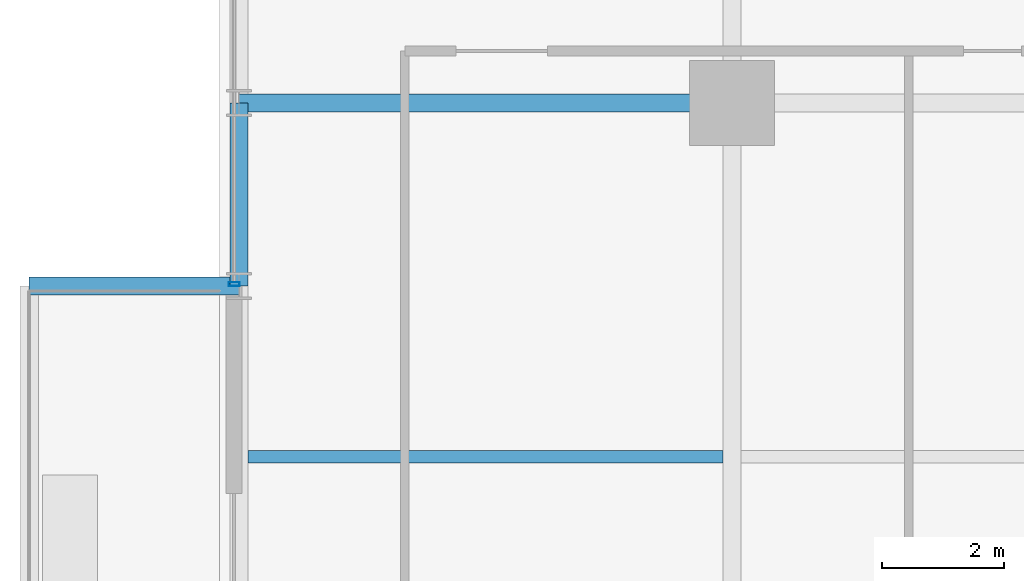
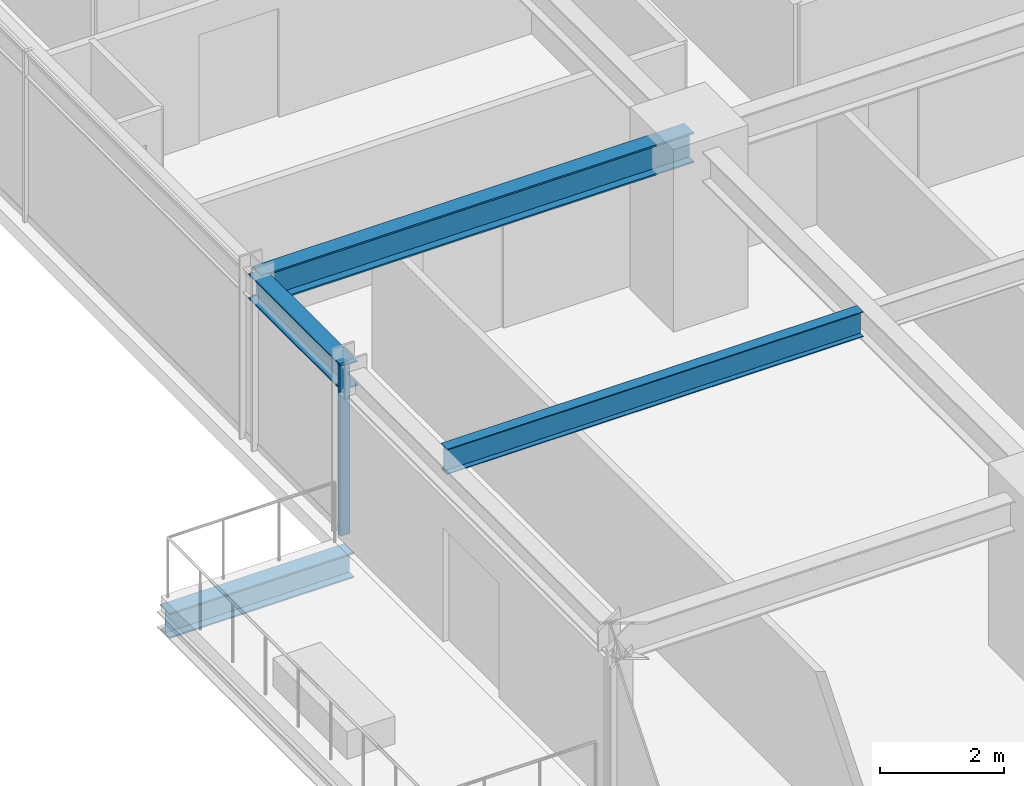
# One storey, part 8 of 37: 4 beams, 1 member, 1 element without a shape of its own.
"""IFC4 building model written with IfcOpenShell, lengths in metres."""

from ifc_helpers import new_model, si_unit, direction, frame, origin, origin_2d, place, context, subcontext, project, spatial, hollow_rectangle, i_section, extrude, source, transform, mapped, material, material_profile, profile_set, type_object, element, aggregate, save


model = new_model("IFC4")

# Units and contexts
model_context = context("Model", 3, precision=1e-05, world=origin(), true_north=direction((0.0, 1.0)))
body_context = subcontext(model_context, "Body", "Model", "MODEL_VIEW")
ifc_project = project(units=[si_unit("LENGTHUNIT", "METRE"), si_unit("AREAUNIT", "SQUARE_METRE"), si_unit("VOLUMEUNIT", "CUBIC_METRE"), si_unit("PLANEANGLEUNIT", "RADIAN"), si_unit("MASSUNIT", "GRAM", prefix="KILO")], contexts=[model_context])

# Site, building, storey
site_placement = place(None, origin())
site = spatial("IfcSite", under=ifc_project, at=site_placement, CompositionType="ELEMENT")
building_placement = place(site_placement, origin())
building = spatial("IfcBuilding", under=site, at=building_placement, Name="Nahalor Promenade Grand Hotel", CompositionType="ELEMENT")
storey_placement = place(building_placement, frame((0.0, 0.0, 36.050048828125)))
storey = spatial("IfcBuildingStorey", under=building, at=storey_placement, Name="L07", CompositionType="ELEMENT", Elevation=36.050048828125)

# Beams
ifc_material_1 = material(Name="Steel S355JR", Category="steel")
ifc_material_profile_1 = material_profile(ifc_material_1, i_section(OverallWidth=0.3, OverallDepth=0.5, WebThickness=0.0145, FlangeThickness=0.028, at=origin_2d()), Name="HEB 500")
ifc_profile_set_1 = profile_set([ifc_material_profile_1], Name="Steel S355JR")
beam_type_1 = type_object("IfcBeamType", Name="Beam-Outrigger-HEB500", PredefinedType="BEAM", material=ifc_profile_set_1)
shared_shape_1 = source(origin(), body_context, "Body", "SweptSolid", [
    extrude(i_section(OverallWidth=0.3, OverallDepth=0.5, WebThickness=0.0145, FlangeThickness=0.028, at=origin_2d()), origin(), (0.0, 0.0, 1.0), 3.43994140625),
])
beam_1_placement = place(storey_placement, frame((-28.52001953125, -8.39990234375, -0.530029296875), z_axis=(1.0, 0.0, 0.0), x_axis=(0.0, 1.0, 0.0)))
element("IfcBeam", 1, at=beam_1_placement, inside=storey, type_object=beam_type_1, Name="BM-L07-BC-02-2", PredefinedType="BEAM", context=body_context, shape_type="MappedRepresentation", body=[
    mapped(shared_shape_1, transform((0.0, 0.0, 0.0), scale=1.0)),
])
ifc_material_profile_2 = material_profile(ifc_material_1, i_section(OverallWidth=0.3, OverallDepth=0.5, WebThickness=0.0145, FlangeThickness=0.028, at=origin_2d()), Name="HEB 500")
ifc_profile_set_2 = profile_set([ifc_material_profile_2], Name="Steel S355JR")
beam_type_2 = type_object("IfcBeamType", Name="Beam-Spandrel-HEB500", PredefinedType="SPANDREL", material=ifc_profile_set_2)
shared_shape_2 = source(origin(), body_context, "Body", "SweptSolid", [
    extrude(i_section(OverallWidth=0.3, OverallDepth=0.5, WebThickness=0.0145, FlangeThickness=0.028, at=origin_2d()), origin(), (0.0, 0.0, 1.0), 3.0),
])
beam_2_placement = place(storey_placement, frame((-25.080078125, -8.39990234375, 3.119873046875), z_axis=(0.0, 1.0, 0.0), x_axis=(-1.0, 0.0, 0.0)))
element("IfcBeam", 2, at=beam_2_placement, inside=storey, type_object=beam_type_2, Name="BM-L07-SP-W-1", PredefinedType="SPANDREL", context=body_context, shape_type="MappedRepresentation", body=[
    mapped(shared_shape_2, transform((0.0, 0.0, 0.0), scale=1.0)),
])
ifc_material_profile_3 = material_profile(ifc_material_1, i_section(OverallWidth=0.3, OverallDepth=0.6, WebThickness=0.0155, FlangeThickness=0.03, at=origin_2d()), Name="HEB 600")
ifc_profile_set_3 = profile_set([ifc_material_profile_3], Name="Steel S355JR")
beam_type_3 = type_object("IfcBeamType", Name="Beam-Girder-HEB600", PredefinedType="BEAM", material=ifc_profile_set_3)
shared_shape_3 = source(origin(), body_context, "Body", "SweptSolid", [
    extrude(i_section(OverallWidth=0.3, OverallDepth=0.6, WebThickness=0.0155, FlangeThickness=0.03, at=origin_2d()), origin(), (0.0, 0.0, 1.0), 8.080078125),
])
beam_3_placement = place(storey_placement, frame((-25.080078125, -5.39990234375, 3.070068359375), z_axis=(1.0, 0.0, 0.0), x_axis=(0.0, 1.0, 0.0)))
element("IfcBeam", 3, at=beam_3_placement, inside=storey, type_object=beam_type_3, Name="BM-L07-GX-1-0", PredefinedType="BEAM", context=body_context, shape_type="MappedRepresentation", body=[
    mapped(shared_shape_3, transform((0.0, 0.0, 0.0), scale=1.0)),
])
ifc_material_profile_4 = material_profile(ifc_material_1, i_section(OverallWidth=0.2, OverallDepth=0.5, WebThickness=0.0102, FlangeThickness=0.016, at=origin_2d()), Name="IPE 500")
ifc_profile_set_4 = profile_set([ifc_material_profile_4], Name="Steel S355JR")
beam_type_4 = type_object("IfcBeamType", Name="Beam-Joist-IPE500", PredefinedType="JOIST", material=ifc_profile_set_4)
shared_shape_4 = source(origin(), body_context, "Body", "SweptSolid", [
    extrude(i_section(OverallWidth=0.2, OverallDepth=0.5, WebThickness=0.0102, FlangeThickness=0.016, at=origin_2d()), origin(), (0.0, 0.0, 1.0), 7.780029296875),
])
beam_4_placement = place(storey_placement, frame((-24.929931640625, -11.199951171875, 3.119873046875), z_axis=(1.0, 0.0, 0.0), x_axis=(0.0, 1.0, 0.0)))
element("IfcBeam", 4, at=beam_4_placement, inside=storey, type_object=beam_type_4, Name="BM-L07-JSW-0-0", PredefinedType="JOIST", context=body_context, shape_type="MappedRepresentation", body=[
    mapped(shared_shape_4, transform((0.0, 0.0, 0.0), scale=1.0)),
])

# Curtain wall, member
ifc_material_2 = material(Name="Anodised Bronze Aluminium EN AW-6063 T6", Category="aluminium")
curtain_wall_type = type_object("IfcCurtainWallType", Name="CW2 Typical Hotel Flush Bronze Unitised Curtain Wall", PredefinedType="USERDEFINED", material=ifc_material_2)
curtain_wall_placement = place(storey_placement, origin())
curtain_wall = element("IfcCurtainWall", 5, at=curtain_wall_placement, inside=storey, type_object=curtain_wall_type, Name="L07 Curtain Wall CW-L07-W-3", ObjectType="UNITISED_CURTAIN_WALL", PredefinedType="USERDEFINED")
ifc_material_profile_5 = material_profile(ifc_material_2, hollow_rectangle(XDim=0.065, YDim=0.18, WallThickness=0.004, at=origin_2d()), Name="CWM 65x180x4")
ifc_profile_set_5 = profile_set([ifc_material_profile_5], Name="Anodised Bronze Aluminium EN AW-6063 T6")
member_type = type_object("IfcMemberType", Name="CWM2 Typical Bronze Mullion 65x180", PredefinedType="MULLION", material=ifc_profile_set_5)
shared_shape_5 = source(origin(), body_context, "Body", "SweptSolid", [
    extrude(hollow_rectangle(XDim=0.065, YDim=0.18, WallThickness=0.004, at=origin_2d()), origin(), (0.0, 0.0, 1.0), 3.369873046875),
])
member_placement = place(storey_placement, frame((-25.159912109375, -8.367431640625, 0.0), z_axis=(0.0, 0.0, 1.0), x_axis=(0.0, 1.0, 0.0)))
member = element("IfcMember", 6, at=member_placement, type_object=member_type, Name="CW-L07-W-3 Mullion 0", PredefinedType="MULLION", context=body_context, shape_type="MappedRepresentation", body=[
    mapped(shared_shape_5, transform((0.0, 0.0, 0.0), scale=1.0)),
])
aggregate(curtain_wall, [member])

save(model, "model.ifc")
